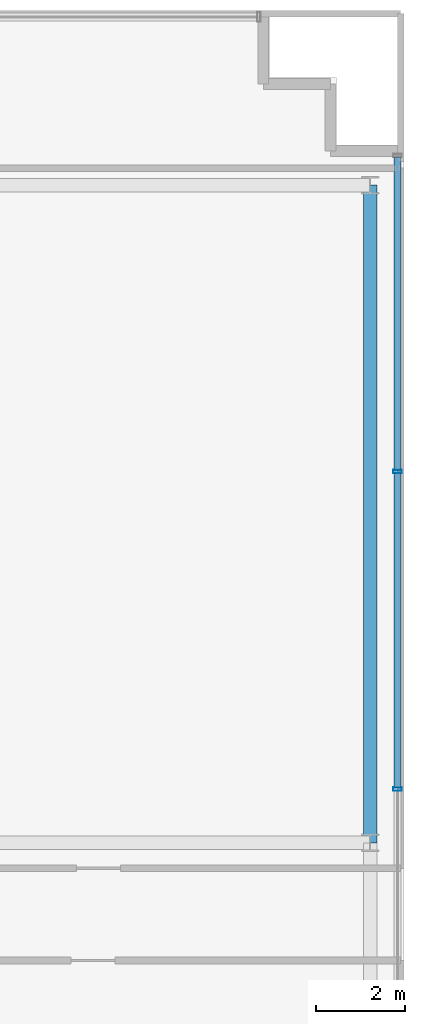
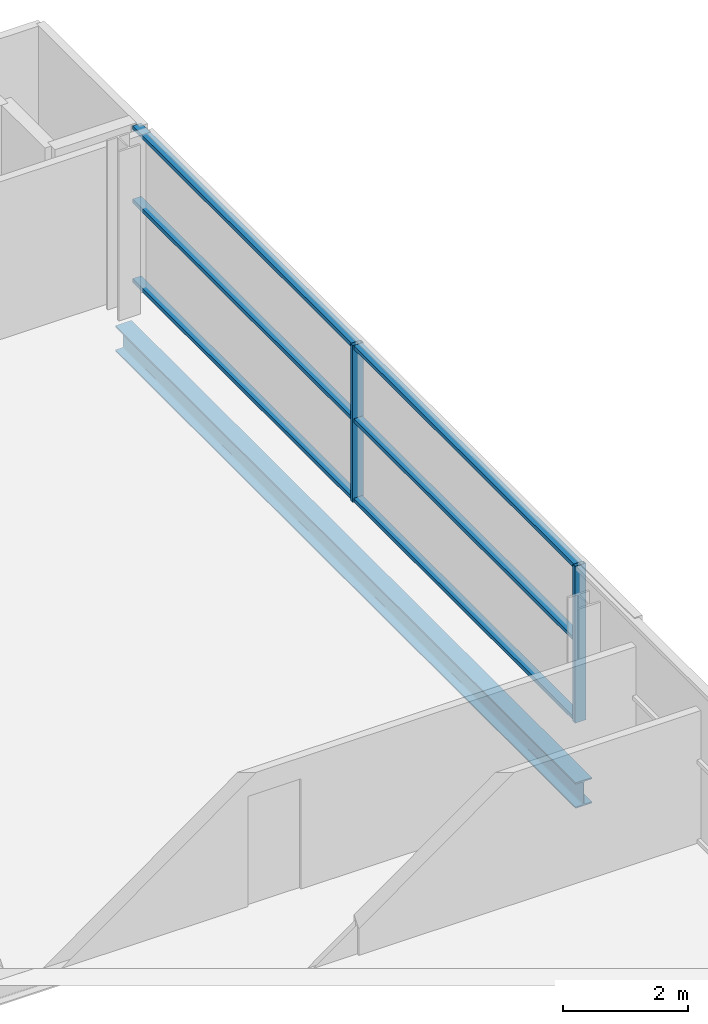
# One storey, part 9 of 22: 8 members, 1 beam, 1 element without a shape of its own.
"""IFC4 building model written with IfcOpenShell, lengths in metres."""

import ifcopenshell
import ifcopenshell.guid

model = None  # the IFC model being written
_history = None  # IfcOwnerHistory: only IFC2X3 demands one
_inside = {}  # id of a spatial element -> (the spatial element, [elements in it])
_under = {}  # id of a project, library or spatial element -> (it, [spatial elements below it])
_declared = {}  # id of a project -> (the project, [libraries it declares])
_typed = {}  # id of a type object -> (the type object, [elements of that type])
_made_of = {}  # id of a material, layer set ... -> (it, [elements and type objects made of it])


def new_model(schema):
    """Start an empty IFC model of exactly this schema.

    Asked for "IFC4X3", IfcOpenShell would pick the latest addendum, in which some entities
    have other attributes; the version numbers below select the first issue.
    IFC2X3 requires an IfcOwnerHistory on every rooted entity: one is made here for all.
    """
    global model, _history
    if schema == "IFC4X3":
        model = ifcopenshell.file(schema_version=(4, 3, 0, 0))
    else:
        model = ifcopenshell.file(schema=schema)
    _inside.clear()
    _under.clear()
    _declared.clear()
    _typed.clear()
    _made_of.clear()
    _history = None
    if model.schema == "IFC2X3":
        org = make("IfcOrganization", Name="unknown")
        user = make(
            "IfcPersonAndOrganization",
            ThePerson=make("IfcPerson", FamilyName="unknown"),
            TheOrganization=org,
        )
        app = make(
            "IfcApplication",
            ApplicationDeveloper=org,
            Version="unknown",
            ApplicationFullName="unknown",
            ApplicationIdentifier="unknown",
        )
        _history = make(
            "IfcOwnerHistory",
            OwningUser=user,
            OwningApplication=app,
            ChangeAction="ADDED",
            CreationDate=0,
        )
    return model


def make(cls, **values):
    """One entity of the class cls with the attributes given. An attribute that is None is left unset."""
    return model.create_entity(
        cls, **{name: value for name, value in values.items() if value is not None}
    )


def rooted(cls, **values):
    """An entity with a GlobalId (a new one), such as an element, a storey or a relation."""
    return make(cls, GlobalId=ifcopenshell.guid.new(), OwnerHistory=_history, **values)


def si_unit(unit_type, name, prefix=None):
    """IfcSIUnit, for example si_unit("LENGTHUNIT", "METRE", prefix="MILLI")."""
    return make("IfcSIUnit", UnitType=unit_type, Prefix=prefix, Name=name)


def assignment(units):
    """IfcUnitAssignment: the units of a project."""
    return None if units is None else make("IfcUnitAssignment", Units=units)


def point(xyz):
    """IfcCartesianPoint."""
    return None if xyz is None else make("IfcCartesianPoint", Coordinates=xyz)


def direction(xyz):
    """IfcDirection."""
    return None if xyz is None else make("IfcDirection", DirectionRatios=xyz)


def frame(location, z_axis=None, x_axis=None):
    """IfcAxis2Placement3D, a coordinate frame: its origin and axes. An axis left out is left unset."""
    return make(
        "IfcAxis2Placement3D",
        Location=point(location),
        Axis=direction(z_axis),
        RefDirection=direction(x_axis),
    )


def frame_2d(location, x_axis=None):
    """IfcAxis2Placement2D, a coordinate frame in the plane: its origin and x axis."""
    return make(
        "IfcAxis2Placement2D", Location=point(location), RefDirection=direction(x_axis)
    )


def origin():
    """The frame at (0, 0, 0) with its axes left unset."""
    return frame((0.0, 0.0, 0.0))


def origin_2d():
    """The frame at (0, 0) in the plane with its x axis left unset."""
    return frame_2d((0.0, 0.0))


def place(relative_to, where):
    """IfcLocalPlacement: puts the frame where relative to a parent placement (None: the world)."""
    return make(
        "IfcLocalPlacement", PlacementRelTo=relative_to, RelativePlacement=where
    )


def context(
    kind, dimensions, precision=None, world=None, true_north=None, identifier=None
):
    """IfcGeometricRepresentationContext, for example the 3D "Model" context."""
    return make(
        "IfcGeometricRepresentationContext",
        ContextIdentifier=identifier,
        ContextType=kind,
        CoordinateSpaceDimension=dimensions,
        Precision=precision,
        WorldCoordinateSystem=world,
        TrueNorth=true_north,
    )


def subcontext(parent, identifier, kind, view, scale=None):
    """IfcGeometricRepresentationSubContext, for example "Body" below "Model"."""
    return make(
        "IfcGeometricRepresentationSubContext",
        ContextIdentifier=identifier,
        ContextType=kind,
        ParentContext=parent,
        TargetScale=scale,
        TargetView=view,
    )


def project(units=None, contexts=None):
    """IfcProject with its units and contexts."""
    return rooted(
        "IfcProject",
        Name="project",
        RepresentationContexts=contexts,
        UnitsInContext=assignment(units),
    )


def spatial(cls, under=None, at=None, **own):
    """A site, building, storey or space (cls), placed at a placement, below another one or the project."""
    s = rooted(cls, ObjectPlacement=at, **own)
    if under is not None:
        _under.setdefault(under.id(), (under, []))[1].append(s)
    return s


def profile(cls, at=None, kind="AREA", **sizes):
    """A parametric profile (cls). Its sizes go by their IFC names, for example OverallWidth=200.0."""
    return make(cls, ProfileType=kind, Position=at, **sizes)


def hollow_rectangle(**sizes):
    """IfcRectangleHollowProfileDef."""
    return profile("IfcRectangleHollowProfileDef", **sizes)


def i_section(**sizes):
    """IfcIShapeProfileDef."""
    return profile("IfcIShapeProfileDef", **sizes)


def extrude(swept, where, along, depth):
    """IfcExtrudedAreaSolid: the profile swept, set in the frame where, extruded along a direction by depth."""
    return make(
        "IfcExtrudedAreaSolid",
        SweptArea=swept,
        Position=where,
        ExtrudedDirection=direction(along),
        Depth=depth,
    )


def shape(context_of_items, identifier, shape_type, items):
    """IfcShapeRepresentation: the items that make up one representation, for example the "Body"."""
    return make(
        "IfcShapeRepresentation",
        ContextOfItems=context_of_items,
        RepresentationIdentifier=identifier,
        RepresentationType=shape_type,
        Items=items,
    )


def source(mapping_origin, context_of_items, identifier, shape_type, items):
    """IfcRepresentationMap: a shape defined once, which mapped items show again and again."""
    return make(
        "IfcRepresentationMap",
        MappingOrigin=mapping_origin,
        MappedRepresentation=shape(context_of_items, identifier, shape_type, items),
    )


def transform(
    local_origin,
    x_axis=None,
    y_axis=None,
    z_axis=None,
    scale=None,
    scale2=None,
    scale3=None,
    uniform=True,
):
    """IfcCartesianTransformationOperator3D, or its non-uniform kind. x_axis, y_axis, z_axis: its Axis1, 2, 3."""
    if uniform:
        return make(
            "IfcCartesianTransformationOperator3D",
            Axis1=direction(x_axis),
            Axis2=direction(y_axis),
            LocalOrigin=point(local_origin),
            Scale=scale,
            Axis3=direction(z_axis),
        )
    return make(
        "IfcCartesianTransformationOperator3DnonUniform",
        Axis1=direction(x_axis),
        Axis2=direction(y_axis),
        LocalOrigin=point(local_origin),
        Scale=scale,
        Axis3=direction(z_axis),
        Scale2=scale2,
        Scale3=scale3,
    )


def mapped(mapping_source, mapping_target):
    """IfcMappedItem: shows the shape of a source again, moved by a transform."""
    return make(
        "IfcMappedItem", MappingSource=mapping_source, MappingTarget=mapping_target
    )


def material(Name=None, Category=None):
    """IfcMaterial."""
    return make("IfcMaterial", Name=Name, Category=Category)


def layer(
    of_material, thickness, ventilated=None, Name=None, Category=None, Priority=None
):
    """IfcMaterialLayer: one layer of a wall or slab, of a material (None: an air gap)."""
    return make(
        "IfcMaterialLayer",
        Material=of_material,
        LayerThickness=thickness,
        IsVentilated=ventilated,
        Name=Name,
        Category=Category,
        Priority=Priority,
    )


def layer_set(layers, Name=None):
    """IfcMaterialLayerSet."""
    return make("IfcMaterialLayerSet", MaterialLayers=layers, LayerSetName=Name)


def material_profile(
    of_material, cross_section, Name=None, Category=None, Priority=None
):
    """IfcMaterialProfile: a cross section and its material."""
    return make(
        "IfcMaterialProfile",
        Name=Name,
        Material=of_material,
        Profile=cross_section,
        Priority=Priority,
        Category=Category,
    )


def profile_set(profiles, Name=None, composite=None):
    """IfcMaterialProfileSet."""
    return make(
        "IfcMaterialProfileSet",
        Name=Name,
        MaterialProfiles=profiles,
        CompositeProfile=composite,
    )


def made_of(thing, what):
    """Note that an element or type object is made of a material, layer set ...; save() writes the relation."""
    if what is not None:
        _made_of.setdefault(what.id(), (what, []))[1].append(thing)
    return thing


def type_object(cls, material=None, **own):
    """A type object (cls), such as IfcWallType, which elements share."""
    return made_of(rooted(cls, **own), material)


def element(
    cls,
    number,
    at=None,
    inside=None,
    cuts=None,
    type_object=None,
    material=None,
    context=None,
    identifier="Body",
    shape_type=None,
    held_by="IfcProductDefinitionShape",
    body=None,
    shapes=None,
    **own,
):
    """One element of the class cls, such as IfcWall. Its Tag is "e" and its number.

    at: its placement. inside: the storey or other place that contains it. cuts: it is an
    opening in that element (IfcRelVoidsElement). A single representation is given by context,
    identifier, shape_type and body (its items); several are given by shapes. held_by: the class
    of the entity that holds the representations. save() writes the other relations.
    """
    e = rooted(cls, Tag="e%d" % number, ObjectPlacement=at, **own)
    if body is not None:
        shapes = [shape(context, identifier, shape_type, body)]
    if shapes is not None:
        e.Representation = make(held_by, Representations=shapes)
    if inside is not None:
        _inside.setdefault(inside.id(), (inside, []))[1].append(e)
    if cuts is not None:
        rooted(
            "IfcRelVoidsElement", RelatingBuildingElement=cuts, RelatedOpeningElement=e
        )
    if type_object is not None:
        _typed.setdefault(type_object.id(), (type_object, []))[1].append(e)
    return made_of(e, material)


def aggregate(whole, parts):
    """IfcRelAggregates: a whole, such as a stair, and the parts it consists of."""
    return rooted("IfcRelAggregates", RelatingObject=whole, RelatedObjects=parts)


def save(model, path):
    """Write the relations noted so far, then the file.

    IfcRelAggregates (storeys below a building ...), IfcRelContainedInSpatialStructure (elements
    in a storey), IfcRelDefinesByType, IfcRelAssociatesMaterial and IfcRelDeclares: one each for
    every whole, place, type object, material and project.
    """
    for whole, parts in _under.values():
        aggregate(whole, parts)
    for where, things in _inside.values():
        rooted(
            "IfcRelContainedInSpatialStructure",
            RelatedElements=things,
            RelatingStructure=where,
        )
    for kind, things in _typed.values():
        rooted("IfcRelDefinesByType", RelatedObjects=things, RelatingType=kind)
    for what, things in _made_of.values():
        rooted("IfcRelAssociatesMaterial", RelatedObjects=things, RelatingMaterial=what)
    for by, libraries in _declared.values():
        rooted("IfcRelDeclares", RelatingContext=by, RelatedDefinitions=libraries)
    model.write(path)


model = new_model("IFC4")

# Units and contexts
model_context = context("Model", 3, precision=1e-05, world=origin(), true_north=direction((0.0, 1.0)))
body_context = subcontext(model_context, "Body", "Model", "MODEL_VIEW")
ifc_project = project(units=[si_unit("LENGTHUNIT", "METRE"), si_unit("AREAUNIT", "SQUARE_METRE"), si_unit("VOLUMEUNIT", "CUBIC_METRE"), si_unit("PLANEANGLEUNIT", "RADIAN"), si_unit("MASSUNIT", "GRAM", prefix="KILO")], contexts=[model_context])

# Site, building, storey
site_placement = place(None, origin())
site = spatial("IfcSite", under=ifc_project, at=site_placement, CompositionType="ELEMENT")
building_placement = place(site_placement, origin())
building = spatial("IfcBuilding", under=site, at=building_placement, Name="Zarnakvel Exchange Tower", CompositionType="ELEMENT")
storey_placement = place(building_placement, frame((0.0, 0.0, 179.199951171875)))
storey = spatial("IfcBuildingStorey", under=building, at=storey_placement, Name="L50", CompositionType="ELEMENT", Elevation=179.199951171875)

# Beam
ifc_material_1 = material(Name="Steel S355", Category="steel")
ifc_material_profile_1 = material_profile(ifc_material_1, i_section(OverallWidth=0.300048828125, OverallDepth=0.5, WebThickness=0.014404296875, FlangeThickness=0.028076171875, FilletRadius=0.027099609375, at=origin_2d()))
ifc_profile_set_1 = profile_set([ifc_material_profile_1], Name="Steel S355")
beam_type = type_object("IfcBeamType", Name="SP-02", PredefinedType="SPANDREL", material=ifc_profile_set_1)
beam_placement = place(storey_placement, frame((25.85009765625, -1.199951171875, -0.474853515625), z_axis=(0.0, 1.0, 0.0), x_axis=(-1.0, 0.0, 0.0)))
element("IfcBeam", 1, at=beam_placement, inside=storey, type_object=beam_type, Name="L50 Tower N-S Frame Beam", PredefinedType="SPANDREL", context=body_context, shape_type="SweptSolid", body=[
    extrude(i_section(OverallWidth=0.300048828125, OverallDepth=0.5, WebThickness=0.014404296875, FlangeThickness=0.028076171875, FilletRadius=0.027099609375, at=origin_2d()), origin(), (0.0, 0.0, 1.0), 14.699951171875),
])

# Curtain wall, members
ifc_material_2 = material(Name="Architectural Bronze Anodised Aluminium", Category="aluminium")
ifc_layer = layer(ifc_material_2, 0.199951171875)
ifc_layer_set = layer_set([ifc_layer], Name="Architectural Bronze Anodised Aluminium")
curtain_wall_type = type_object("IfcCurtainWallType", Name="CW-04", PredefinedType="NOTDEFINED", material=ifc_layer_set)
curtain_wall_placement = place(storey_placement, origin())
curtain_wall = element("IfcCurtainWall", 2, at=curtain_wall_placement, inside=storey, type_object=curtain_wall_type, Name="L50 Curtain Wall CW-L50-E1 (CW-04)", PredefinedType="NOTDEFINED")
ifc_material_profile_2 = material_profile(ifc_material_2, hollow_rectangle(XDim=0.199951171875, YDim=0.074951171875, WallThickness=0.0048828125, at=origin_2d()))
ifc_profile_set_2 = profile_set([ifc_material_profile_2], Name="Architectural Bronze Anodised Aluminium")
member_type_1 = type_object("IfcMemberType", Name="CWM-04", PredefinedType="MULLION", material=ifc_profile_set_2)
shared_shape_1 = source(origin(), body_context, "Body", "SweptSolid", [
    extrude(hollow_rectangle(XDim=0.199951171875, YDim=0.074951171875, WallThickness=0.0048828125, at=origin_2d()), origin(), (0.0, 0.0, 1.0), 3.054931640625),
])
member_1_placement = place(storey_placement, frame((26.4599609375, 0.0, 0.0), z_axis=(0.0, 0.0, 1.0), x_axis=(-1.0, 0.0, 0.0)))
member_1 = element("IfcMember", 3, at=member_1_placement, type_object=member_type_1, Name="CW-04 mullion 3", PredefinedType="MULLION", context=body_context, shape_type="MappedRepresentation", body=[
    mapped(shared_shape_1, transform((0.0, 0.0, 0.0), x_axis=(1.0, 0.0, 0.0), y_axis=(0.0, 1.0, 0.0), z_axis=(0.0, 0.0, 1.0), scale=1.0)),
])
member_2_placement = place(storey_placement, frame((26.4599609375, 7.10009765625, 0.0), z_axis=(0.0, 0.0, 1.0), x_axis=(-1.0, 0.0, 0.0)))
member_2 = element("IfcMember", 4, at=member_2_placement, type_object=member_type_1, Name="CW-04 mullion 4", PredefinedType="MULLION", context=body_context, shape_type="MappedRepresentation", body=[
    mapped(shared_shape_1, transform((0.0, 0.0, 0.0), x_axis=(1.0, 0.0, 0.0), y_axis=(0.0, 1.0, 0.0), z_axis=(0.0, 0.0, 1.0), scale=1.0)),
])
ifc_material_profile_3 = material_profile(ifc_material_2, hollow_rectangle(XDim=0.159912109375, YDim=0.074951171875, WallThickness=0.00390625, at=origin_2d()))
ifc_profile_set_3 = profile_set([ifc_material_profile_3], Name="Architectural Bronze Anodised Aluminium")
member_type_2 = type_object("IfcMemberType", Name="CWT-04", PredefinedType="USERDEFINED", material=ifc_profile_set_3)
shared_shape_2 = source(origin(), body_context, "Body", "SweptSolid", [
    extrude(hollow_rectangle(XDim=0.159912109375, YDim=0.074951171875, WallThickness=0.00390625, at=origin_2d()), origin(), (0.0, 0.0, 1.0), 6.987548828125),
])
member_3_placement = place(storey_placement, frame((26.4599609375, 7.137451171875, 0.03759765625), z_axis=(0.0, 1.0, 0.0), x_axis=(-1.0, 0.0, 0.0)))
member_3 = element("IfcMember", 5, at=member_3_placement, type_object=member_type_2, Name="CW-04 transom 4.1", ObjectType="TRANSOM", PredefinedType="USERDEFINED", context=body_context, shape_type="MappedRepresentation", body=[
    mapped(shared_shape_2, transform((0.0, 0.0, 0.0), x_axis=(1.0, 0.0, 0.0), y_axis=(0.0, 1.0, 0.0), z_axis=(0.0, 0.0, 1.0), scale=1.0)),
])
member_4_placement = place(storey_placement, frame((26.4599609375, 7.137451171875, 1.588623046875), z_axis=(0.0, 1.0, 0.0), x_axis=(-1.0, 0.0, 0.0)))
member_4 = element("IfcMember", 6, at=member_4_placement, type_object=member_type_2, Name="CW-04 transom 4.2", ObjectType="TRANSOM", PredefinedType="USERDEFINED", context=body_context, shape_type="MappedRepresentation", body=[
    mapped(shared_shape_2, transform((0.0, 0.0, 0.0), x_axis=(1.0, 0.0, 0.0), y_axis=(0.0, 1.0, 0.0), z_axis=(0.0, 0.0, 1.0), scale=1.0)),
])
member_5_placement = place(storey_placement, frame((26.4599609375, 7.137451171875, 3.017578125), z_axis=(0.0, 1.0, 0.0), x_axis=(-1.0, 0.0, 0.0)))
member_5 = element("IfcMember", 7, at=member_5_placement, type_object=member_type_2, Name="CW-04 transom 4.3", ObjectType="TRANSOM", PredefinedType="USERDEFINED", context=body_context, shape_type="MappedRepresentation", body=[
    mapped(shared_shape_2, transform((0.0, 0.0, 0.0), x_axis=(1.0, 0.0, 0.0), y_axis=(0.0, 1.0, 0.0), z_axis=(0.0, 0.0, 1.0), scale=1.0)),
])
shared_shape_3 = source(origin(), body_context, "Body", "SweptSolid", [
    extrude(hollow_rectangle(XDim=0.159912109375, YDim=0.074951171875, WallThickness=0.00390625, at=origin_2d()), origin(), (0.0, 0.0, 1.0), 7.02490234375),
])
member_6_placement = place(storey_placement, frame((26.4599609375, 0.03759765625, 0.03759765625), z_axis=(0.0, 1.0, 0.0), x_axis=(-1.0, 0.0, 0.0)))
member_6 = element("IfcMember", 8, at=member_6_placement, type_object=member_type_2, Name="CW-04 transom 3.1", ObjectType="TRANSOM", PredefinedType="USERDEFINED", context=body_context, shape_type="MappedRepresentation", body=[
    mapped(shared_shape_3, transform((0.0, 0.0, 0.0), x_axis=(1.0, 0.0, 0.0), y_axis=(0.0, 1.0, 0.0), z_axis=(0.0, 0.0, 1.0), scale=1.0)),
])
member_7_placement = place(storey_placement, frame((26.4599609375, 0.03759765625, 1.588623046875), z_axis=(0.0, 1.0, 0.0), x_axis=(-1.0, 0.0, 0.0)))
member_7 = element("IfcMember", 9, at=member_7_placement, type_object=member_type_2, Name="CW-04 transom 3.2", ObjectType="TRANSOM", PredefinedType="USERDEFINED", context=body_context, shape_type="MappedRepresentation", body=[
    mapped(shared_shape_3, transform((0.0, 0.0, 0.0), x_axis=(1.0, 0.0, 0.0), y_axis=(0.0, 1.0, 0.0), z_axis=(0.0, 0.0, 1.0), scale=1.0)),
])
member_8_placement = place(storey_placement, frame((26.4599609375, 0.03759765625, 3.017578125), z_axis=(0.0, 1.0, 0.0), x_axis=(-1.0, 0.0, 0.0)))
member_8 = element("IfcMember", 10, at=member_8_placement, type_object=member_type_2, Name="CW-04 transom 3.3", ObjectType="TRANSOM", PredefinedType="USERDEFINED", context=body_context, shape_type="MappedRepresentation", body=[
    mapped(shared_shape_3, transform((0.0, 0.0, 0.0), x_axis=(1.0, 0.0, 0.0), y_axis=(0.0, 1.0, 0.0), z_axis=(0.0, 0.0, 1.0), scale=1.0)),
])
aggregate(curtain_wall, [member_1, member_2, member_6, member_7, member_8, member_3, member_4, member_5])

save(model, "model.ifc")
